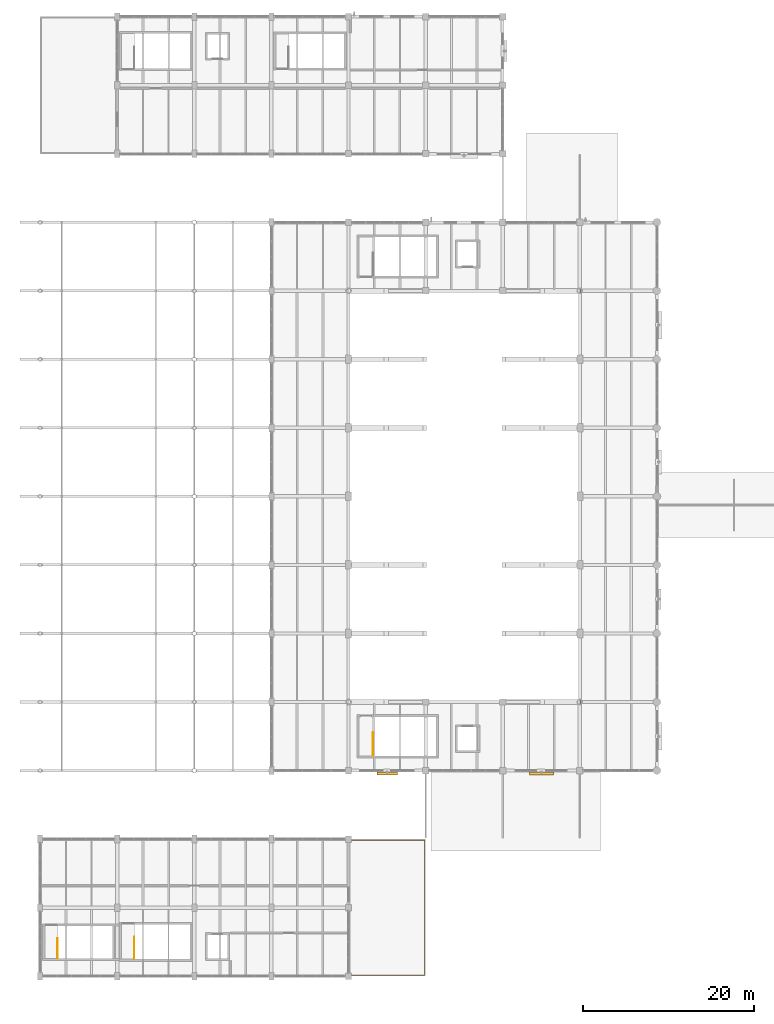
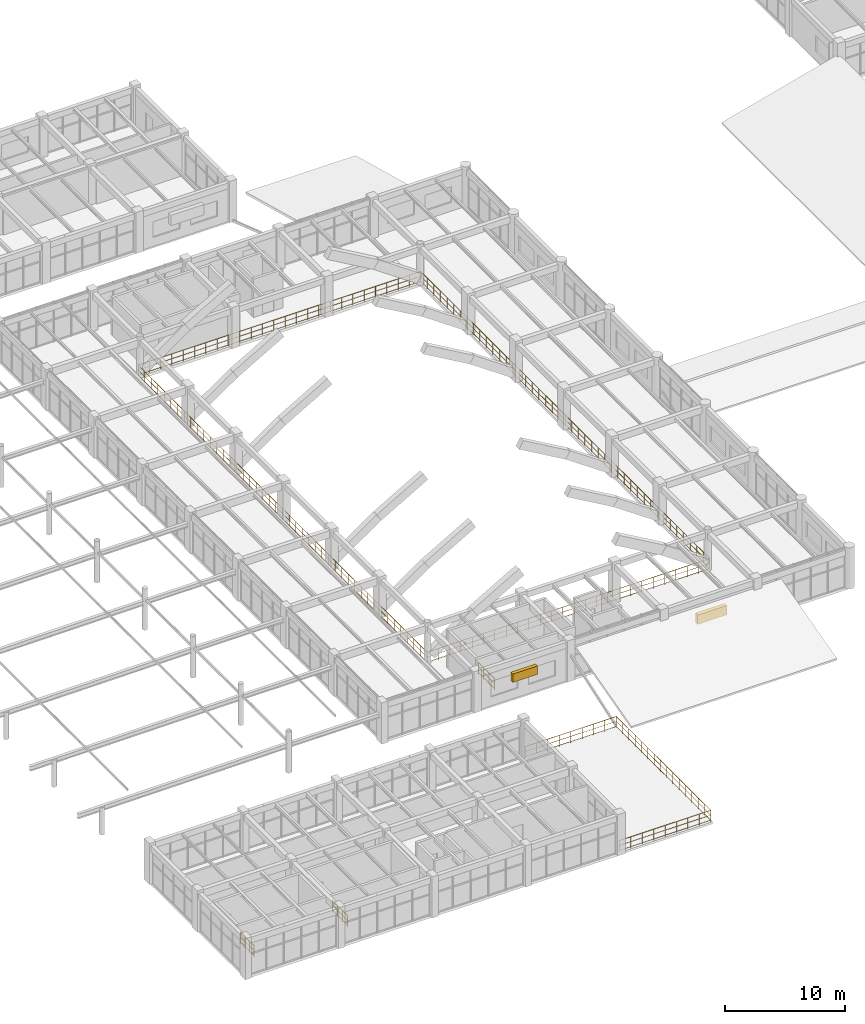
# One storey, part 139 of 148: 5 railings, 2 shading devices.
"""IFC4 building model written with IfcOpenShell, lengths in metres."""

from ifc_helpers import new_model, si_unit, derived_unit, direction, frame, origin, origin_2d, place, context, subcontext, project, spatial, rectangle, circle, extrude, material, layer, layer_set, type_object, element, save


model = new_model("IFC4")

# Units and contexts
model_context = context("Model", 3, precision=1e-05, world=origin(), true_north=direction((0.0, 1.0)))
body_context = subcontext(model_context, "Body", "Model", "MODEL_VIEW")
ifc_project = project(units=[si_unit("LENGTHUNIT", "METRE"), si_unit("AREAUNIT", "SQUARE_METRE"), si_unit("VOLUMEUNIT", "CUBIC_METRE"), si_unit("PLANEANGLEUNIT", "RADIAN"), si_unit("MASSUNIT", "GRAM", prefix="KILO"), derived_unit("THERMALTRANSMITTANCEUNIT", [(si_unit("MASSUNIT", "GRAM", prefix="KILO"), 1), (si_unit("TIMEUNIT", "SECOND"), -3), (si_unit("THERMODYNAMICTEMPERATUREUNIT", "KELVIN"), -1)])], contexts=[model_context])

# Site, building, storey
site_placement = place(None, origin())
site = spatial("IfcSite", under=ifc_project, at=site_placement, CompositionType="ELEMENT")
building_placement = place(site_placement, origin())
building = spatial("IfcBuilding", under=site, at=building_placement, Name="Zhenchuan Archway Interchange", CompositionType="ELEMENT")
storey_placement = place(building_placement, frame((0.0, 0.0, 10.199951171875)))
storey = spatial("IfcBuildingStorey", under=building, at=storey_placement, Name="L02", CompositionType="ELEMENT", Elevation=10.199951171875)

# Railings
ifc_material_1 = material(Name="Stainless Steel 316", Category="steel")
ifc_layer = layer(ifc_material_1, 0.070068359375)
ifc_layer_set = layer_set([ifc_layer], Name="Stainless Steel 316")
railing_type_1 = type_object("IfcRailingType", Name="RL_BALUSTRADE_1150", PredefinedType="BALUSTRADE", material=ifc_layer_set)
railing_1_placement = place(storey_placement, frame((35.8798828125, 31.8798828125, 0.0)))
element("IfcRailing", 1, at=railing_1_placement, inside=storey, type_object=railing_type_1, Name="Concourse nave gallery balustrade L02", PredefinedType="BALUSTRADE", context=body_context, shape_type="SweptSolid", body=[
    extrude(circle(Radius=0.02392578125, at=origin_2d()), frame((0.0, 0.0, 1.1259765625), z_axis=(1.0, 0.0, 0.0), x_axis=(0.0, 1.0, 0.0)), (0.0, 0.0, 1.0), 27.240234375),
    extrude(circle(Radius=0.01611328125, at=origin_2d()), frame((0.0, 0.0, 0.63232421875), z_axis=(1.0, 0.0, 0.0), x_axis=(0.0, 1.0, 0.0)), (0.0, 0.0, 1.0), 27.240234375),
    extrude(circle(Radius=0.01611328125, at=origin_2d()), frame((0.0, 0.0, 0.1201171875), z_axis=(1.0, 0.0, 0.0), x_axis=(0.0, 1.0, 0.0)), (0.0, 0.0, 1.0), 27.240234375),
    extrude(circle(Radius=0.02392578125, at=origin_2d()), frame((27.240234375, 0.0, 1.1259765625), z_axis=(0.0, 1.0, 0.0), x_axis=(-1.0, 0.0, 0.0)), (0.0, 0.0, 1.0), 48.240234375),
    extrude(circle(Radius=0.01611328125, at=origin_2d()), frame((27.240234375, 0.0, 0.63232421875), z_axis=(0.0, 1.0, 0.0), x_axis=(-1.0, 0.0, 0.0)), (0.0, 0.0, 1.0), 48.240234375),
    extrude(circle(Radius=0.01611328125, at=origin_2d()), frame((27.240234375, 0.0, 0.1201171875), z_axis=(0.0, 1.0, 0.0), x_axis=(-1.0, 0.0, 0.0)), (0.0, 0.0, 1.0), 48.240234375),
    extrude(circle(Radius=0.02392578125, at=origin_2d()), frame((27.240234375, 48.240234375, 1.1259765625), z_axis=(-1.0, 0.0, 0.0), x_axis=(0.0, -1.0, 0.0)), (0.0, 0.0, 1.0), 27.240234375),
    extrude(circle(Radius=0.01611328125, at=origin_2d()), frame((27.240234375, 48.240234375, 0.63232421875), z_axis=(-1.0, 0.0, 0.0), x_axis=(0.0, -1.0, 0.0)), (0.0, 0.0, 1.0), 27.240234375),
    extrude(circle(Radius=0.01611328125, at=origin_2d()), frame((27.240234375, 48.240234375, 0.1201171875), z_axis=(-1.0, 0.0, 0.0), x_axis=(0.0, -1.0, 0.0)), (0.0, 0.0, 1.0), 27.240234375),
    extrude(circle(Radius=0.02392578125, at=origin_2d()), frame((0.0, 48.240234375, 1.1259765625), z_axis=(0.0, -1.0, 0.0), x_axis=(1.0, 0.0, 0.0)), (0.0, 0.0, 1.0), 48.240234375),
    extrude(circle(Radius=0.01611328125, at=origin_2d()), frame((0.0, 48.240234375, 0.63232421875), z_axis=(0.0, -1.0, 0.0), x_axis=(1.0, 0.0, 0.0)), (0.0, 0.0, 1.0), 48.240234375),
    extrude(circle(Radius=0.01611328125, at=origin_2d()), frame((0.0, 48.240234375, 0.1201171875), z_axis=(0.0, -1.0, 0.0), x_axis=(1.0, 0.0, 0.0)), (0.0, 0.0, 1.0), 48.240234375),
    extrude(circle(Radius=0.02099609375, at=origin_2d()), origin(), (0.0, 0.0, 1.0), 1.1259765625),
    extrude(circle(Radius=0.02099609375, at=origin_2d()), frame((1.089599609375, 0.0, 0.0)), (0.0, 0.0, 1.0), 1.1259765625),
    extrude(circle(Radius=0.02099609375, at=origin_2d()), frame((2.17919921875, 0.0, 0.0)), (0.0, 0.0, 1.0), 1.1259765625),
    extrude(circle(Radius=0.02099609375, at=origin_2d()), frame((3.268798828125, 0.0, 0.0)), (0.0, 0.0, 1.0), 1.1259765625),
    extrude(circle(Radius=0.02099609375, at=origin_2d()), frame((4.3583984375, 0.0, 0.0)), (0.0, 0.0, 1.0), 1.1259765625),
    extrude(circle(Radius=0.02099609375, at=origin_2d()), frame((5.447998046875, 0.0, 0.0)), (0.0, 0.0, 1.0), 1.1259765625),
    extrude(circle(Radius=0.02099609375, at=origin_2d()), frame((6.53759765625, 0.0, 0.0)), (0.0, 0.0, 1.0), 1.1259765625),
    extrude(circle(Radius=0.02099609375, at=origin_2d()), frame((7.627197265625, 0.0, 0.0)), (0.0, 0.0, 1.0), 1.1259765625),
    extrude(circle(Radius=0.02099609375, at=origin_2d()), frame((8.716796875, 0.0, 0.0)), (0.0, 0.0, 1.0), 1.1259765625),
    extrude(circle(Radius=0.02099609375, at=origin_2d()), frame((9.806396484375, 0.0, 0.0)), (0.0, 0.0, 1.0), 1.1259765625),
    extrude(circle(Radius=0.02099609375, at=origin_2d()), frame((10.89599609375, 0.0, 0.0)), (0.0, 0.0, 1.0), 1.1259765625),
    extrude(circle(Radius=0.02099609375, at=origin_2d()), frame((11.985595703125, 0.0, 0.0)), (0.0, 0.0, 1.0), 1.1259765625),
    extrude(circle(Radius=0.02099609375, at=origin_2d()), frame((13.0751953125, 0.0, 0.0)), (0.0, 0.0, 1.0), 1.1259765625),
    extrude(circle(Radius=0.02099609375, at=origin_2d()), frame((14.1650390625, 0.0, 0.0)), (0.0, 0.0, 1.0), 1.1259765625),
    extrude(circle(Radius=0.02099609375, at=origin_2d()), frame((15.254638671875, 0.0, 0.0)), (0.0, 0.0, 1.0), 1.1259765625),
    extrude(circle(Radius=0.02099609375, at=origin_2d()), frame((16.34423828125, 0.0, 0.0)), (0.0, 0.0, 1.0), 1.1259765625),
    extrude(circle(Radius=0.02099609375, at=origin_2d()), frame((17.433837890625, 0.0, 0.0)), (0.0, 0.0, 1.0), 1.1259765625),
    extrude(circle(Radius=0.02099609375, at=origin_2d()), frame((18.5234375, 0.0, 0.0)), (0.0, 0.0, 1.0), 1.1259765625),
    extrude(circle(Radius=0.02099609375, at=origin_2d()), frame((19.613037109375, 0.0, 0.0)), (0.0, 0.0, 1.0), 1.1259765625),
    extrude(circle(Radius=0.02099609375, at=origin_2d()), frame((20.70263671875, 0.0, 0.0)), (0.0, 0.0, 1.0), 1.1259765625),
    extrude(circle(Radius=0.02099609375, at=origin_2d()), frame((21.792236328125, 0.0, 0.0)), (0.0, 0.0, 1.0), 1.1259765625),
    extrude(circle(Radius=0.02099609375, at=origin_2d()), frame((22.8818359375, 0.0, 0.0)), (0.0, 0.0, 1.0), 1.1259765625),
    extrude(circle(Radius=0.02099609375, at=origin_2d()), frame((23.971435546875, 0.0, 0.0)), (0.0, 0.0, 1.0), 1.1259765625),
    extrude(circle(Radius=0.02099609375, at=origin_2d()), frame((25.06103515625, 0.0, 0.0)), (0.0, 0.0, 1.0), 1.1259765625),
    extrude(circle(Radius=0.02099609375, at=origin_2d()), frame((26.150634765625, 0.0, 0.0)), (0.0, 0.0, 1.0), 1.1259765625),
    extrude(circle(Radius=0.02099609375, at=origin_2d()), frame((27.240234375, 0.0, 0.0)), (0.0, 0.0, 1.0), 1.1259765625),
    extrude(circle(Radius=0.02099609375, at=origin_2d()), frame((27.240234375, 1.096435546875, 0.0)), (0.0, 0.0, 1.0), 1.1259765625),
    extrude(circle(Radius=0.02099609375, at=origin_2d()), frame((27.240234375, 2.192626953125, 0.0)), (0.0, 0.0, 1.0), 1.1259765625),
    extrude(circle(Radius=0.02099609375, at=origin_2d()), frame((27.240234375, 3.2890625, 0.0)), (0.0, 0.0, 1.0), 1.1259765625),
    extrude(circle(Radius=0.02099609375, at=origin_2d()), frame((27.240234375, 4.385498046875, 0.0)), (0.0, 0.0, 1.0), 1.1259765625),
    extrude(circle(Radius=0.02099609375, at=origin_2d()), frame((27.240234375, 5.48193359375, 0.0)), (0.0, 0.0, 1.0), 1.1259765625),
    extrude(circle(Radius=0.02099609375, at=origin_2d()), frame((27.240234375, 6.578125, 0.0)), (0.0, 0.0, 1.0), 1.1259765625),
    extrude(circle(Radius=0.02099609375, at=origin_2d()), frame((27.240234375, 7.674560546875, 0.0)), (0.0, 0.0, 1.0), 1.1259765625),
    extrude(circle(Radius=0.02099609375, at=origin_2d()), frame((27.240234375, 8.77099609375, 0.0)), (0.0, 0.0, 1.0), 1.1259765625),
    extrude(circle(Radius=0.02099609375, at=origin_2d()), frame((27.240234375, 9.867431640625, 0.0)), (0.0, 0.0, 1.0), 1.1259765625),
    extrude(circle(Radius=0.02099609375, at=origin_2d()), frame((27.240234375, 10.963623046875, 0.0)), (0.0, 0.0, 1.0), 1.1259765625),
    extrude(circle(Radius=0.02099609375, at=origin_2d()), frame((27.240234375, 12.06005859375, 0.0)), (0.0, 0.0, 1.0), 1.1259765625),
    extrude(circle(Radius=0.02099609375, at=origin_2d()), frame((27.240234375, 13.156494140625, 0.0)), (0.0, 0.0, 1.0), 1.1259765625),
    extrude(circle(Radius=0.02099609375, at=origin_2d()), frame((27.240234375, 14.252685546875, 0.0)), (0.0, 0.0, 1.0), 1.1259765625),
    extrude(circle(Radius=0.02099609375, at=origin_2d()), frame((27.240234375, 15.34912109375, 0.0)), (0.0, 0.0, 1.0), 1.1259765625),
    extrude(circle(Radius=0.02099609375, at=origin_2d()), frame((27.240234375, 16.445556640625, 0.0)), (0.0, 0.0, 1.0), 1.1259765625),
    extrude(circle(Radius=0.02099609375, at=origin_2d()), frame((27.240234375, 17.5419921875, 0.0)), (0.0, 0.0, 1.0), 1.1259765625),
    extrude(circle(Radius=0.02099609375, at=origin_2d()), frame((27.240234375, 18.63818359375, 0.0)), (0.0, 0.0, 1.0), 1.1259765625),
    extrude(circle(Radius=0.02099609375, at=origin_2d()), frame((27.240234375, 19.734619140625, 0.0)), (0.0, 0.0, 1.0), 1.1259765625),
    extrude(circle(Radius=0.02099609375, at=origin_2d()), frame((27.240234375, 20.8310546875, 0.0)), (0.0, 0.0, 1.0), 1.1259765625),
    extrude(circle(Radius=0.02099609375, at=origin_2d()), frame((27.240234375, 21.927490234375, 0.0)), (0.0, 0.0, 1.0), 1.1259765625),
    extrude(circle(Radius=0.02099609375, at=origin_2d()), frame((27.240234375, 23.023681640625, 0.0)), (0.0, 0.0, 1.0), 1.1259765625),
    extrude(circle(Radius=0.02099609375, at=origin_2d()), frame((27.240234375, 24.1201171875, 0.0)), (0.0, 0.0, 1.0), 1.1259765625),
    extrude(circle(Radius=0.02099609375, at=origin_2d()), frame((27.240234375, 25.216552734375, 0.0)), (0.0, 0.0, 1.0), 1.1259765625),
    extrude(circle(Radius=0.02099609375, at=origin_2d()), frame((27.240234375, 26.312744140625, 0.0)), (0.0, 0.0, 1.0), 1.1259765625),
    extrude(circle(Radius=0.02099609375, at=origin_2d()), frame((27.240234375, 27.4091796875, 0.0)), (0.0, 0.0, 1.0), 1.1259765625),
    extrude(circle(Radius=0.02099609375, at=origin_2d()), frame((27.240234375, 28.505615234375, 0.0)), (0.0, 0.0, 1.0), 1.1259765625),
    extrude(circle(Radius=0.02099609375, at=origin_2d()), frame((27.240234375, 29.60205078125, 0.0)), (0.0, 0.0, 1.0), 1.1259765625),
    extrude(circle(Radius=0.02099609375, at=origin_2d()), frame((27.240234375, 30.6982421875, 0.0)), (0.0, 0.0, 1.0), 1.1259765625),
    extrude(circle(Radius=0.02099609375, at=origin_2d()), frame((27.240234375, 31.794677734375, 0.0)), (0.0, 0.0, 1.0), 1.1259765625),
    extrude(circle(Radius=0.02099609375, at=origin_2d()), frame((27.240234375, 32.89111328125, 0.0)), (0.0, 0.0, 1.0), 1.1259765625),
    extrude(circle(Radius=0.02099609375, at=origin_2d()), frame((27.240234375, 33.987548828125, 0.0)), (0.0, 0.0, 1.0), 1.1259765625),
    extrude(circle(Radius=0.02099609375, at=origin_2d()), frame((27.240234375, 35.083740234375, 0.0)), (0.0, 0.0, 1.0), 1.1259765625),
    extrude(circle(Radius=0.02099609375, at=origin_2d()), frame((27.240234375, 36.18017578125, 0.0)), (0.0, 0.0, 1.0), 1.1259765625),
    extrude(circle(Radius=0.02099609375, at=origin_2d()), frame((27.240234375, 37.276611328125, 0.0)), (0.0, 0.0, 1.0), 1.1259765625),
    extrude(circle(Radius=0.02099609375, at=origin_2d()), frame((27.240234375, 38.372802734375, 0.0)), (0.0, 0.0, 1.0), 1.1259765625),
    extrude(circle(Radius=0.02099609375, at=origin_2d()), frame((27.240234375, 39.46923828125, 0.0)), (0.0, 0.0, 1.0), 1.1259765625),
    extrude(circle(Radius=0.02099609375, at=origin_2d()), frame((27.240234375, 40.565673828125, 0.0)), (0.0, 0.0, 1.0), 1.1259765625),
    extrude(circle(Radius=0.02099609375, at=origin_2d()), frame((27.240234375, 41.662109375, 0.0)), (0.0, 0.0, 1.0), 1.1259765625),
    extrude(circle(Radius=0.02099609375, at=origin_2d()), frame((27.240234375, 42.75830078125, 0.0)), (0.0, 0.0, 1.0), 1.1259765625),
    extrude(circle(Radius=0.02099609375, at=origin_2d()), frame((27.240234375, 43.854736328125, 0.0)), (0.0, 0.0, 1.0), 1.1259765625),
    extrude(circle(Radius=0.02099609375, at=origin_2d()), frame((27.240234375, 44.951171875, 0.0)), (0.0, 0.0, 1.0), 1.1259765625),
    extrude(circle(Radius=0.02099609375, at=origin_2d()), frame((27.240234375, 46.047607421875, 0.0)), (0.0, 0.0, 1.0), 1.1259765625),
    extrude(circle(Radius=0.02099609375, at=origin_2d()), frame((27.240234375, 47.143798828125, 0.0)), (0.0, 0.0, 1.0), 1.1259765625),
    extrude(circle(Radius=0.02099609375, at=origin_2d()), frame((27.240234375, 48.240234375, 0.0)), (0.0, 0.0, 1.0), 1.1259765625),
    extrude(circle(Radius=0.02099609375, at=origin_2d()), frame((26.150634765625, 48.240234375, 0.0)), (0.0, 0.0, 1.0), 1.1259765625),
    extrude(circle(Radius=0.02099609375, at=origin_2d()), frame((25.06103515625, 48.240234375, 0.0)), (0.0, 0.0, 1.0), 1.1259765625),
    extrude(circle(Radius=0.02099609375, at=origin_2d()), frame((23.971435546875, 48.240234375, 0.0)), (0.0, 0.0, 1.0), 1.1259765625),
    extrude(circle(Radius=0.02099609375, at=origin_2d()), frame((22.8818359375, 48.240234375, 0.0)), (0.0, 0.0, 1.0), 1.1259765625),
    extrude(circle(Radius=0.02099609375, at=origin_2d()), frame((21.792236328125, 48.240234375, 0.0)), (0.0, 0.0, 1.0), 1.1259765625),
    extrude(circle(Radius=0.02099609375, at=origin_2d()), frame((20.70263671875, 48.240234375, 0.0)), (0.0, 0.0, 1.0), 1.1259765625),
    extrude(circle(Radius=0.02099609375, at=origin_2d()), frame((19.613037109375, 48.240234375, 0.0)), (0.0, 0.0, 1.0), 1.1259765625),
    extrude(circle(Radius=0.02099609375, at=origin_2d()), frame((18.5234375, 48.240234375, 0.0)), (0.0, 0.0, 1.0), 1.1259765625),
    extrude(circle(Radius=0.02099609375, at=origin_2d()), frame((17.433837890625, 48.240234375, 0.0)), (0.0, 0.0, 1.0), 1.1259765625),
    extrude(circle(Radius=0.02099609375, at=origin_2d()), frame((16.34423828125, 48.240234375, 0.0)), (0.0, 0.0, 1.0), 1.1259765625),
    extrude(circle(Radius=0.02099609375, at=origin_2d()), frame((15.254638671875, 48.240234375, 0.0)), (0.0, 0.0, 1.0), 1.1259765625),
    extrude(circle(Radius=0.02099609375, at=origin_2d()), frame((14.1650390625, 48.240234375, 0.0)), (0.0, 0.0, 1.0), 1.1259765625),
    extrude(circle(Radius=0.02099609375, at=origin_2d()), frame((13.0751953125, 48.240234375, 0.0)), (0.0, 0.0, 1.0), 1.1259765625),
    extrude(circle(Radius=0.02099609375, at=origin_2d()), frame((11.985595703125, 48.240234375, 0.0)), (0.0, 0.0, 1.0), 1.1259765625),
    extrude(circle(Radius=0.02099609375, at=origin_2d()), frame((10.89599609375, 48.240234375, 0.0)), (0.0, 0.0, 1.0), 1.1259765625),
    extrude(circle(Radius=0.02099609375, at=origin_2d()), frame((9.806396484375, 48.240234375, 0.0)), (0.0, 0.0, 1.0), 1.1259765625),
    extrude(circle(Radius=0.02099609375, at=origin_2d()), frame((8.716796875, 48.240234375, 0.0)), (0.0, 0.0, 1.0), 1.1259765625),
    extrude(circle(Radius=0.02099609375, at=origin_2d()), frame((7.627197265625, 48.240234375, 0.0)), (0.0, 0.0, 1.0), 1.1259765625),
    extrude(circle(Radius=0.02099609375, at=origin_2d()), frame((6.53759765625, 48.240234375, 0.0)), (0.0, 0.0, 1.0), 1.1259765625),
    extrude(circle(Radius=0.02099609375, at=origin_2d()), frame((5.447998046875, 48.240234375, 0.0)), (0.0, 0.0, 1.0), 1.1259765625),
    extrude(circle(Radius=0.02099609375, at=origin_2d()), frame((4.3583984375, 48.240234375, 0.0)), (0.0, 0.0, 1.0), 1.1259765625),
    extrude(circle(Radius=0.02099609375, at=origin_2d()), frame((3.268798828125, 48.240234375, 0.0)), (0.0, 0.0, 1.0), 1.1259765625),
    extrude(circle(Radius=0.02099609375, at=origin_2d()), frame((2.17919921875, 48.240234375, 0.0)), (0.0, 0.0, 1.0), 1.1259765625),
    extrude(circle(Radius=0.02099609375, at=origin_2d()), frame((1.089599609375, 48.240234375, 0.0)), (0.0, 0.0, 1.0), 1.1259765625),
    extrude(circle(Radius=0.02099609375, at=origin_2d()), frame((0.0, 48.240234375, 0.0)), (0.0, 0.0, 1.0), 1.1259765625),
    extrude(circle(Radius=0.02099609375, at=origin_2d()), frame((0.0, 47.143798828125, 0.0)), (0.0, 0.0, 1.0), 1.1259765625),
    extrude(circle(Radius=0.02099609375, at=origin_2d()), frame((0.0, 46.047607421875, 0.0)), (0.0, 0.0, 1.0), 1.1259765625),
    extrude(circle(Radius=0.02099609375, at=origin_2d()), frame((0.0, 44.951171875, 0.0)), (0.0, 0.0, 1.0), 1.1259765625),
    extrude(circle(Radius=0.02099609375, at=origin_2d()), frame((0.0, 43.854736328125, 0.0)), (0.0, 0.0, 1.0), 1.1259765625),
    extrude(circle(Radius=0.02099609375, at=origin_2d()), frame((0.0, 42.75830078125, 0.0)), (0.0, 0.0, 1.0), 1.1259765625),
    extrude(circle(Radius=0.02099609375, at=origin_2d()), frame((0.0, 41.662109375, 0.0)), (0.0, 0.0, 1.0), 1.1259765625),
    extrude(circle(Radius=0.02099609375, at=origin_2d()), frame((0.0, 40.565673828125, 0.0)), (0.0, 0.0, 1.0), 1.1259765625),
    extrude(circle(Radius=0.02099609375, at=origin_2d()), frame((0.0, 39.46923828125, 0.0)), (0.0, 0.0, 1.0), 1.1259765625),
    extrude(circle(Radius=0.02099609375, at=origin_2d()), frame((0.0, 38.372802734375, 0.0)), (0.0, 0.0, 1.0), 1.1259765625),
    extrude(circle(Radius=0.02099609375, at=origin_2d()), frame((0.0, 37.276611328125, 0.0)), (0.0, 0.0, 1.0), 1.1259765625),
    extrude(circle(Radius=0.02099609375, at=origin_2d()), frame((0.0, 36.18017578125, 0.0)), (0.0, 0.0, 1.0), 1.1259765625),
    extrude(circle(Radius=0.02099609375, at=origin_2d()), frame((0.0, 35.083740234375, 0.0)), (0.0, 0.0, 1.0), 1.1259765625),
    extrude(circle(Radius=0.02099609375, at=origin_2d()), frame((0.0, 33.987548828125, 0.0)), (0.0, 0.0, 1.0), 1.1259765625),
    extrude(circle(Radius=0.02099609375, at=origin_2d()), frame((0.0, 32.89111328125, 0.0)), (0.0, 0.0, 1.0), 1.1259765625),
    extrude(circle(Radius=0.02099609375, at=origin_2d()), frame((0.0, 31.794677734375, 0.0)), (0.0, 0.0, 1.0), 1.1259765625),
    extrude(circle(Radius=0.02099609375, at=origin_2d()), frame((0.0, 30.6982421875, 0.0)), (0.0, 0.0, 1.0), 1.1259765625),
    extrude(circle(Radius=0.02099609375, at=origin_2d()), frame((0.0, 29.60205078125, 0.0)), (0.0, 0.0, 1.0), 1.1259765625),
    extrude(circle(Radius=0.02099609375, at=origin_2d()), frame((0.0, 28.505615234375, 0.0)), (0.0, 0.0, 1.0), 1.1259765625),
    extrude(circle(Radius=0.02099609375, at=origin_2d()), frame((0.0, 27.4091796875, 0.0)), (0.0, 0.0, 1.0), 1.1259765625),
    extrude(circle(Radius=0.02099609375, at=origin_2d()), frame((0.0, 26.312744140625, 0.0)), (0.0, 0.0, 1.0), 1.1259765625),
    extrude(circle(Radius=0.02099609375, at=origin_2d()), frame((0.0, 25.216552734375, 0.0)), (0.0, 0.0, 1.0), 1.1259765625),
    extrude(circle(Radius=0.02099609375, at=origin_2d()), frame((0.0, 24.1201171875, 0.0)), (0.0, 0.0, 1.0), 1.1259765625),
    extrude(circle(Radius=0.02099609375, at=origin_2d()), frame((0.0, 23.023681640625, 0.0)), (0.0, 0.0, 1.0), 1.1259765625),
    extrude(circle(Radius=0.02099609375, at=origin_2d()), frame((0.0, 21.927490234375, 0.0)), (0.0, 0.0, 1.0), 1.1259765625),
    extrude(circle(Radius=0.02099609375, at=origin_2d()), frame((0.0, 20.8310546875, 0.0)), (0.0, 0.0, 1.0), 1.1259765625),
    extrude(circle(Radius=0.02099609375, at=origin_2d()), frame((0.0, 19.734619140625, 0.0)), (0.0, 0.0, 1.0), 1.1259765625),
    extrude(circle(Radius=0.02099609375, at=origin_2d()), frame((0.0, 18.63818359375, 0.0)), (0.0, 0.0, 1.0), 1.1259765625),
    extrude(circle(Radius=0.02099609375, at=origin_2d()), frame((0.0, 17.5419921875, 0.0)), (0.0, 0.0, 1.0), 1.1259765625),
    extrude(circle(Radius=0.02099609375, at=origin_2d()), frame((0.0, 16.445556640625, 0.0)), (0.0, 0.0, 1.0), 1.1259765625),
    extrude(circle(Radius=0.02099609375, at=origin_2d()), frame((0.0, 15.34912109375, 0.0)), (0.0, 0.0, 1.0), 1.1259765625),
    extrude(circle(Radius=0.02099609375, at=origin_2d()), frame((0.0, 14.252685546875, 0.0)), (0.0, 0.0, 1.0), 1.1259765625),
    extrude(circle(Radius=0.02099609375, at=origin_2d()), frame((0.0, 13.156494140625, 0.0)), (0.0, 0.0, 1.0), 1.1259765625),
    extrude(circle(Radius=0.02099609375, at=origin_2d()), frame((0.0, 12.06005859375, 0.0)), (0.0, 0.0, 1.0), 1.1259765625),
    extrude(circle(Radius=0.02099609375, at=origin_2d()), frame((0.0, 10.963623046875, 0.0)), (0.0, 0.0, 1.0), 1.1259765625),
    extrude(circle(Radius=0.02099609375, at=origin_2d()), frame((0.0, 9.867431640625, 0.0)), (0.0, 0.0, 1.0), 1.1259765625),
    extrude(circle(Radius=0.02099609375, at=origin_2d()), frame((0.0, 8.77099609375, 0.0)), (0.0, 0.0, 1.0), 1.1259765625),
    extrude(circle(Radius=0.02099609375, at=origin_2d()), frame((0.0, 7.674560546875, 0.0)), (0.0, 0.0, 1.0), 1.1259765625),
    extrude(circle(Radius=0.02099609375, at=origin_2d()), frame((0.0, 6.578125, 0.0)), (0.0, 0.0, 1.0), 1.1259765625),
    extrude(circle(Radius=0.02099609375, at=origin_2d()), frame((0.0, 5.48193359375, 0.0)), (0.0, 0.0, 1.0), 1.1259765625),
    extrude(circle(Radius=0.02099609375, at=origin_2d()), frame((0.0, 4.385498046875, 0.0)), (0.0, 0.0, 1.0), 1.1259765625),
    extrude(circle(Radius=0.02099609375, at=origin_2d()), frame((0.0, 3.2890625, 0.0)), (0.0, 0.0, 1.0), 1.1259765625),
    extrude(circle(Radius=0.02099609375, at=origin_2d()), frame((0.0, 2.192626953125, 0.0)), (0.0, 0.0, 1.0), 1.1259765625),
    extrude(circle(Radius=0.02099609375, at=origin_2d()), frame((0.0, 1.096435546875, 0.0)), (0.0, 0.0, 1.0), 1.1259765625),
])
railing_2_placement = place(storey_placement, frame((36.080078125, 0.1201171875, 0.0)))
element("IfcRailing", 2, at=railing_2_placement, inside=storey, type_object=railing_type_1, Name="Cycle Hub L02 terrace perimeter balustrade", PredefinedType="BALUSTRADE", context=body_context, shape_type="SweptSolid", body=[
    extrude(circle(Radius=0.02392578125, at=origin_2d()), frame((0.0, 0.0, 1.1259765625), z_axis=(1.0, 0.0, 0.0), x_axis=(0.0, 1.0, 0.0)), (0.0, 0.0, 1.0), 8.7998046875),
    extrude(circle(Radius=0.01611328125, at=origin_2d()), frame((0.0, 0.0, 0.63232421875), z_axis=(1.0, 0.0, 0.0), x_axis=(0.0, 1.0, 0.0)), (0.0, 0.0, 1.0), 8.7998046875),
    extrude(circle(Radius=0.01611328125, at=origin_2d()), frame((0.0, 0.0, 0.1201171875), z_axis=(1.0, 0.0, 0.0), x_axis=(0.0, 1.0, 0.0)), (0.0, 0.0, 1.0), 8.7998046875),
    extrude(circle(Radius=0.02392578125, at=origin_2d()), frame((8.7998046875, 0.0, 1.1259765625), z_axis=(0.0, 1.0, 0.0), x_axis=(-1.0, 0.0, 0.0)), (0.0, 0.0, 1.0), 15.759765625),
    extrude(circle(Radius=0.01611328125, at=origin_2d()), frame((8.7998046875, 0.0, 0.63232421875), z_axis=(0.0, 1.0, 0.0), x_axis=(-1.0, 0.0, 0.0)), (0.0, 0.0, 1.0), 15.759765625),
    extrude(circle(Radius=0.01611328125, at=origin_2d()), frame((8.7998046875, 0.0, 0.1201171875), z_axis=(0.0, 1.0, 0.0), x_axis=(-1.0, 0.0, 0.0)), (0.0, 0.0, 1.0), 15.759765625),
    extrude(circle(Radius=0.02392578125, at=origin_2d()), frame((8.7998046875, 15.759765625, 1.1259765625), z_axis=(-1.0, 0.0, 0.0), x_axis=(0.0, -1.0, 0.0)), (0.0, 0.0, 1.0), 8.7998046875),
    extrude(circle(Radius=0.01611328125, at=origin_2d()), frame((8.7998046875, 15.759765625, 0.63232421875), z_axis=(-1.0, 0.0, 0.0), x_axis=(0.0, -1.0, 0.0)), (0.0, 0.0, 1.0), 8.7998046875),
    extrude(circle(Radius=0.01611328125, at=origin_2d()), frame((8.7998046875, 15.759765625, 0.1201171875), z_axis=(-1.0, 0.0, 0.0), x_axis=(0.0, -1.0, 0.0)), (0.0, 0.0, 1.0), 8.7998046875),
    extrude(circle(Radius=0.02099609375, at=origin_2d()), origin(), (0.0, 0.0, 1.0), 1.1259765625),
    extrude(circle(Radius=0.02099609375, at=origin_2d()), frame((1.10009765625, 0.0, 0.0)), (0.0, 0.0, 1.0), 1.1259765625),
    extrude(circle(Radius=0.02099609375, at=origin_2d()), frame((2.199951171875, 0.0, 0.0)), (0.0, 0.0, 1.0), 1.1259765625),
    extrude(circle(Radius=0.02099609375, at=origin_2d()), frame((3.2998046875, 0.0, 0.0)), (0.0, 0.0, 1.0), 1.1259765625),
    extrude(circle(Radius=0.02099609375, at=origin_2d()), frame((4.39990234375, 0.0, 0.0)), (0.0, 0.0, 1.0), 1.1259765625),
    extrude(circle(Radius=0.02099609375, at=origin_2d()), frame((5.5, 0.0, 0.0)), (0.0, 0.0, 1.0), 1.1259765625),
    extrude(circle(Radius=0.02099609375, at=origin_2d()), frame((6.599853515625, 0.0, 0.0)), (0.0, 0.0, 1.0), 1.1259765625),
    extrude(circle(Radius=0.02099609375, at=origin_2d()), frame((7.69970703125, 0.0, 0.0)), (0.0, 0.0, 1.0), 1.1259765625),
    extrude(circle(Radius=0.02099609375, at=origin_2d()), frame((8.7998046875, 0.0, 0.0)), (0.0, 0.0, 1.0), 1.1259765625),
    extrude(circle(Radius=0.02099609375, at=origin_2d()), frame((8.7998046875, 1.050537109375, 0.0)), (0.0, 0.0, 1.0), 1.1259765625),
    extrude(circle(Radius=0.02099609375, at=origin_2d()), frame((8.7998046875, 2.101318359375, 0.0)), (0.0, 0.0, 1.0), 1.1259765625),
    extrude(circle(Radius=0.02099609375, at=origin_2d()), frame((8.7998046875, 3.15185546875, 0.0)), (0.0, 0.0, 1.0), 1.1259765625),
    extrude(circle(Radius=0.02099609375, at=origin_2d()), frame((8.7998046875, 4.20263671875, 0.0)), (0.0, 0.0, 1.0), 1.1259765625),
    extrude(circle(Radius=0.02099609375, at=origin_2d()), frame((8.7998046875, 5.253173828125, 0.0)), (0.0, 0.0, 1.0), 1.1259765625),
    extrude(circle(Radius=0.02099609375, at=origin_2d()), frame((8.7998046875, 6.303955078125, 0.0)), (0.0, 0.0, 1.0), 1.1259765625),
    extrude(circle(Radius=0.02099609375, at=origin_2d()), frame((8.7998046875, 7.3544921875, 0.0)), (0.0, 0.0, 1.0), 1.1259765625),
    extrude(circle(Radius=0.02099609375, at=origin_2d()), frame((8.7998046875, 8.4052734375, 0.0)), (0.0, 0.0, 1.0), 1.1259765625),
    extrude(circle(Radius=0.02099609375, at=origin_2d()), frame((8.7998046875, 9.455810546875, 0.0)), (0.0, 0.0, 1.0), 1.1259765625),
    extrude(circle(Radius=0.02099609375, at=origin_2d()), frame((8.7998046875, 10.506591796875, 0.0)), (0.0, 0.0, 1.0), 1.1259765625),
    extrude(circle(Radius=0.02099609375, at=origin_2d()), frame((8.7998046875, 11.55712890625, 0.0)), (0.0, 0.0, 1.0), 1.1259765625),
    extrude(circle(Radius=0.02099609375, at=origin_2d()), frame((8.7998046875, 12.60791015625, 0.0)), (0.0, 0.0, 1.0), 1.1259765625),
    extrude(circle(Radius=0.02099609375, at=origin_2d()), frame((8.7998046875, 13.658447265625, 0.0)), (0.0, 0.0, 1.0), 1.1259765625),
    extrude(circle(Radius=0.02099609375, at=origin_2d()), frame((8.7998046875, 14.709228515625, 0.0)), (0.0, 0.0, 1.0), 1.1259765625),
    extrude(circle(Radius=0.02099609375, at=origin_2d()), frame((8.7998046875, 15.759765625, 0.0)), (0.0, 0.0, 1.0), 1.1259765625),
    extrude(circle(Radius=0.02099609375, at=origin_2d()), frame((7.69970703125, 15.759765625, 0.0)), (0.0, 0.0, 1.0), 1.1259765625),
    extrude(circle(Radius=0.02099609375, at=origin_2d()), frame((6.599853515625, 15.759765625, 0.0)), (0.0, 0.0, 1.0), 1.1259765625),
    extrude(circle(Radius=0.02099609375, at=origin_2d()), frame((5.5, 15.759765625, 0.0)), (0.0, 0.0, 1.0), 1.1259765625),
    extrude(circle(Radius=0.02099609375, at=origin_2d()), frame((4.39990234375, 15.759765625, 0.0)), (0.0, 0.0, 1.0), 1.1259765625),
    extrude(circle(Radius=0.02099609375, at=origin_2d()), frame((3.2998046875, 15.759765625, 0.0)), (0.0, 0.0, 1.0), 1.1259765625),
    extrude(circle(Radius=0.02099609375, at=origin_2d()), frame((2.199951171875, 15.759765625, 0.0)), (0.0, 0.0, 1.0), 1.1259765625),
    extrude(circle(Radius=0.02099609375, at=origin_2d()), frame((1.10009765625, 15.759765625, 0.0)), (0.0, 0.0, 1.0), 1.1259765625),
    extrude(circle(Radius=0.02099609375, at=origin_2d()), frame((0.0, 15.759765625, 0.0)), (0.0, 0.0, 1.0), 1.1259765625),
])
ifc_material_2 = material(Name="Painted Galvanised Steel", Category="steel")
railing_type_2 = type_object("IfcRailingType", Name="RL_GUARD_1150", PredefinedType="GUARDRAIL", material=ifc_material_2)
railing_3_placement = place(storey_placement, frame((38.8349609375, 25.764892578125, 0.0)))
element("IfcRailing", 3, at=railing_3_placement, inside=storey, type_object=railing_type_2, Name="Stair ST-M1 top landing guard (L02)", PredefinedType="GUARDRAIL", context=body_context, shape_type="SweptSolid", body=[
    extrude(circle(Radius=0.02392578125, at=origin_2d()), frame((0.0, 0.0, 1.1259765625), z_axis=(0.0, 1.0, 0.0), x_axis=(-1.0, 0.0, 0.0)), (0.0, 0.0, 1.0), 2.670166015625),
    extrude(circle(Radius=0.01611328125, at=origin_2d()), frame((0.0, 0.0, 0.63232421875), z_axis=(0.0, 1.0, 0.0), x_axis=(-1.0, 0.0, 0.0)), (0.0, 0.0, 1.0), 2.670166015625),
    extrude(circle(Radius=0.01611328125, at=origin_2d()), frame((0.0, 0.0, 0.1201171875), z_axis=(0.0, 1.0, 0.0), x_axis=(-1.0, 0.0, 0.0)), (0.0, 0.0, 1.0), 2.670166015625),
    extrude(circle(Radius=0.02099609375, at=origin_2d()), origin(), (0.0, 0.0, 1.0), 1.1259765625),
    extrude(circle(Radius=0.02099609375, at=origin_2d()), frame((0.0, 0.89013671875, 0.0)), (0.0, 0.0, 1.0), 1.1259765625),
    extrude(circle(Radius=0.02099609375, at=origin_2d()), frame((0.0, 1.780029296875, 0.0)), (0.0, 0.0, 1.0), 1.1259765625),
    extrude(circle(Radius=0.02099609375, at=origin_2d()), frame((0.0, 2.670166015625, 0.0)), (0.0, 0.0, 1.0), 1.1259765625),
])
railing_4_placement = place(storey_placement, frame((10.985107421875, 2.014892578125, 0.0)))
element("IfcRailing", 4, at=railing_4_placement, inside=storey, type_object=railing_type_2, Name="Stair ST-C1 top landing guard (L02)", PredefinedType="GUARDRAIL", context=body_context, shape_type="SweptSolid", body=[
    extrude(circle(Radius=0.02392578125, at=origin_2d()), frame((0.0, 0.0, 1.1259765625), z_axis=(0.0, 1.0, 0.0), x_axis=(-1.0, 0.0, 0.0)), (0.0, 0.0, 1.0), 2.570068359375),
    extrude(circle(Radius=0.01611328125, at=origin_2d()), frame((0.0, 0.0, 0.63232421875), z_axis=(0.0, 1.0, 0.0), x_axis=(-1.0, 0.0, 0.0)), (0.0, 0.0, 1.0), 2.570068359375),
    extrude(circle(Radius=0.01611328125, at=origin_2d()), frame((0.0, 0.0, 0.1201171875), z_axis=(0.0, 1.0, 0.0), x_axis=(-1.0, 0.0, 0.0)), (0.0, 0.0, 1.0), 2.570068359375),
    extrude(circle(Radius=0.02099609375, at=origin_2d()), origin(), (0.0, 0.0, 1.0), 1.1259765625),
    extrude(circle(Radius=0.02099609375, at=origin_2d()), frame((0.0, 0.856689453125, 0.0)), (0.0, 0.0, 1.0), 1.1259765625),
    extrude(circle(Radius=0.02099609375, at=origin_2d()), frame((0.0, 1.71337890625, 0.0)), (0.0, 0.0, 1.0), 1.1259765625),
    extrude(circle(Radius=0.02099609375, at=origin_2d()), frame((0.0, 2.570068359375, 0.0)), (0.0, 0.0, 1.0), 1.1259765625),
])
railing_5_placement = place(storey_placement, frame((2.02490234375, 2.114990234375, 0.0)))
element("IfcRailing", 5, at=railing_5_placement, inside=storey, type_object=railing_type_2, Name="Stair ST-C2 top landing guard (L02)", PredefinedType="GUARDRAIL", context=body_context, shape_type="SweptSolid", body=[
    extrude(circle(Radius=0.02392578125, at=origin_2d()), frame((0.0, 0.0, 1.1259765625), z_axis=(0.0, 1.0, 0.0), x_axis=(-1.0, 0.0, 0.0)), (0.0, 0.0, 1.0), 2.27001953125),
    extrude(circle(Radius=0.01611328125, at=origin_2d()), frame((0.0, 0.0, 0.63232421875), z_axis=(0.0, 1.0, 0.0), x_axis=(-1.0, 0.0, 0.0)), (0.0, 0.0, 1.0), 2.27001953125),
    extrude(circle(Radius=0.01611328125, at=origin_2d()), frame((0.0, 0.0, 0.1201171875), z_axis=(0.0, 1.0, 0.0), x_axis=(-1.0, 0.0, 0.0)), (0.0, 0.0, 1.0), 2.27001953125),
    extrude(circle(Radius=0.02099609375, at=origin_2d()), origin(), (0.0, 0.0, 1.0), 1.1259765625),
    extrude(circle(Radius=0.02099609375, at=origin_2d()), frame((0.0, 0.756591796875, 0.0)), (0.0, 0.0, 1.0), 1.1259765625),
    extrude(circle(Radius=0.02099609375, at=origin_2d()), frame((0.0, 1.513427734375, 0.0)), (0.0, 0.0, 1.0), 1.1259765625),
    extrude(circle(Radius=0.02099609375, at=origin_2d()), frame((0.0, 2.27001953125, 0.0)), (0.0, 0.0, 1.0), 1.1259765625),
])

# Shading devices
ifc_material_3 = material(Name="Anodised Aluminium", Category="aluminium")
shading_device_type_1 = type_object("IfcShadingDeviceType", Name="SHD_LOUVRE_1", PredefinedType="JALOUSIE", material=ifc_material_3)
shading_device_1_placement = place(storey_placement, frame((58.5, 23.64599609375, 1.625), z_axis=(0.0, 0.0, 1.0), x_axis=(-1.0, 0.0, 0.0)))
element("IfcShadingDevice", 6, at=shading_device_1_placement, inside=storey, type_object=shading_device_type_1, Name="Monsoon storm-louvre jalousie L02-075", PredefinedType="JALOUSIE", context=body_context, shape_type="SweptSolid", body=[
    extrude(rectangle(XDim=2.800048828125, YDim=0.3798828125, at=origin_2d()), origin(), (0.0, 0.0, 1.0), 0.949951171875),
])
shading_device_type_2 = type_object("IfcShadingDeviceType", Name="SHD_LOUVRE_2", PredefinedType="JALOUSIE", material=ifc_material_3)
shading_device_2_placement = place(storey_placement, frame((40.5, 23.666015625, 1.925048828125), z_axis=(0.0, 0.0, 1.0), x_axis=(-1.0, 0.0, 0.0)))
element("IfcShadingDevice", 7, at=shading_device_2_placement, inside=storey, type_object=shading_device_type_2, Name="Monsoon storm-louvre jalousie L02-076", PredefinedType="JALOUSIE", context=body_context, shape_type="SweptSolid", body=[
    extrude(rectangle(XDim=2.39990234375, YDim=0.340087890625, at=origin_2d()), origin(), (0.0, 0.0, 1.0), 0.85009765625),
])

save(model, "model.ifc")
